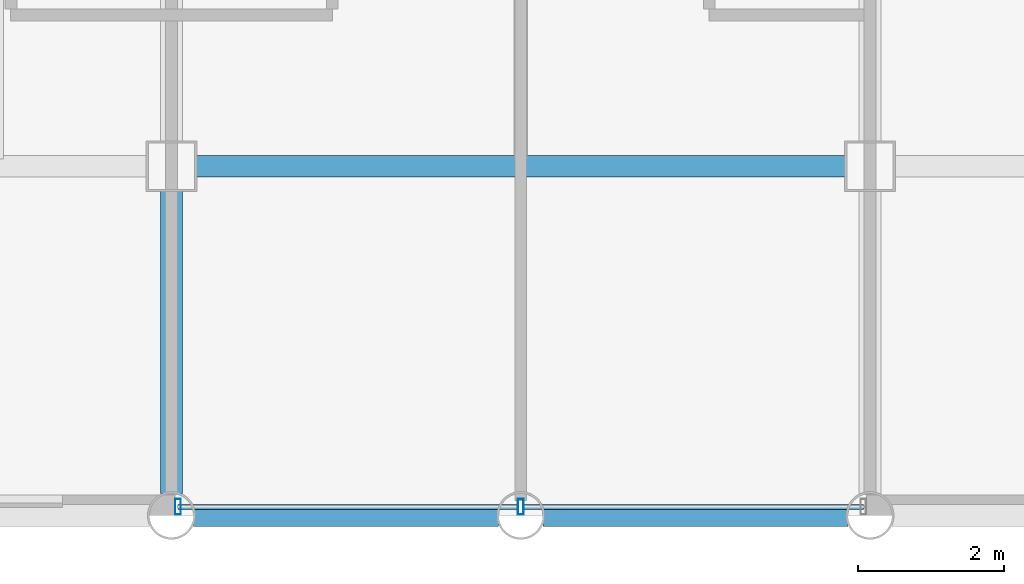
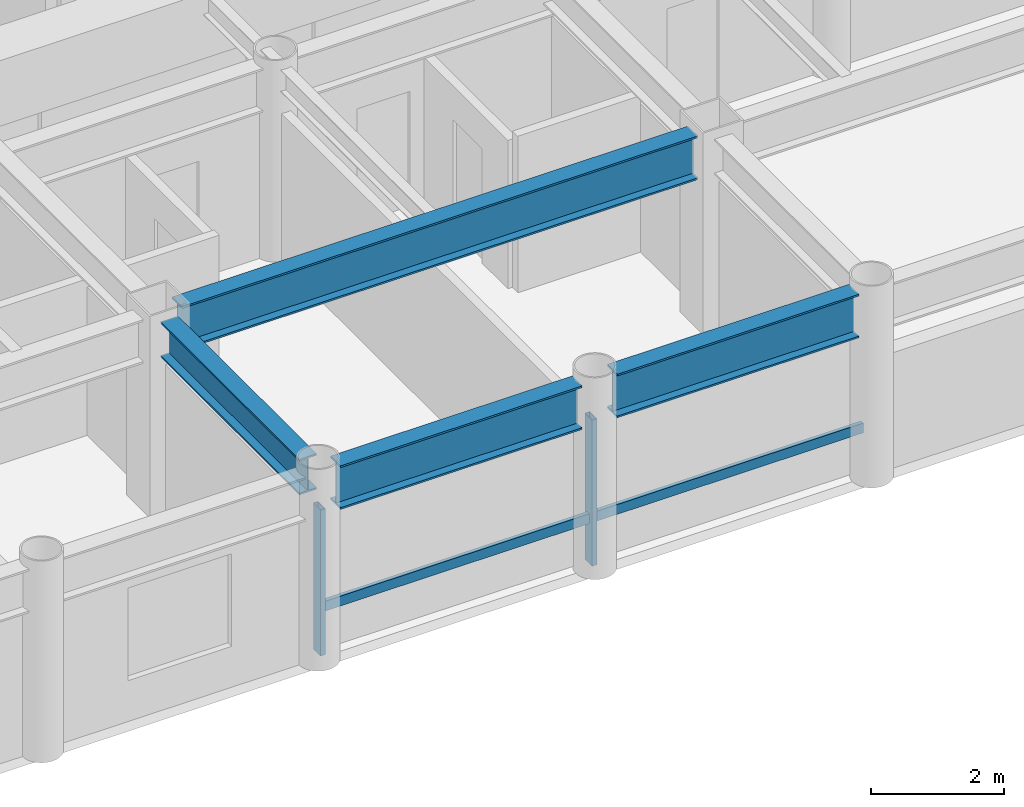
# One storey, part 2 of 22: 4 beams, 4 members, 1 element without a shape of its own.
"""IFC4 building model written with IfcOpenShell, lengths in metres."""

from ifc_helpers import new_model, si_unit, direction, frame, origin, origin_2d, place, context, subcontext, project, spatial, hollow_rectangle, i_section, extrude, material, layer, layer_set, material_profile, profile_set, type_object, element, aggregate, save


model = new_model("IFC4")

# Units and contexts
model_context = context("Model", 3, precision=1e-05, world=origin(), true_north=direction((0.0, 1.0)))
body_context = subcontext(model_context, "Body", "Model", "MODEL_VIEW")
ifc_project = project(units=[si_unit("LENGTHUNIT", "METRE"), si_unit("AREAUNIT", "SQUARE_METRE"), si_unit("VOLUMEUNIT", "CUBIC_METRE"), si_unit("PLANEANGLEUNIT", "RADIAN"), si_unit("MASSUNIT", "GRAM", prefix="KILO")], contexts=[model_context])

# Site, building, storey
site_placement = place(None, origin())
site = spatial("IfcSite", under=ifc_project, at=site_placement, CompositionType="ELEMENT")
building_placement = place(site_placement, origin())
building = spatial("IfcBuilding", under=site, at=building_placement, Name="Kallvorn Hotel Tower", CompositionType="ELEMENT")
storey_placement = place(building_placement, frame((0.0, 0.0, 106.300048828125)))
storey = spatial("IfcBuildingStorey", under=building, at=storey_placement, Name="L25", CompositionType="ELEMENT", Elevation=106.300048828125)

# Beams
ifc_material_1 = material(Name="Structural steel S355JR", Category="steel")
ifc_material_profile_1 = material_profile(ifc_material_1, i_section(OverallWidth=0.300048828125, OverallDepth=0.64990234375, WebThickness=0.01611328125, FlangeThickness=0.031005859375, at=origin_2d()), Name="HE 650 B")
ifc_profile_set_1 = profile_set([ifc_material_profile_1], Name="Structural steel S355JR")
beam_type_1 = type_object("IfcBeamType", Name="BM_HE650B", PredefinedType="BEAM", material=ifc_profile_set_1)
beam_1_placement = place(storey_placement, frame((-4.800048828125, -18.89501953125, 3.195068359375), z_axis=(0.0, 1.0, 0.0), x_axis=(-1.0, 0.0, 0.0)))
element("IfcBeam", 1, at=beam_1_placement, inside=storey, type_object=beam_type_1, Name="L26 Primary Y-Girder 105", PredefinedType="BEAM", context=body_context, shape_type="SweptSolid", body=[
    extrude(i_section(OverallWidth=0.300048828125, OverallDepth=0.64990234375, WebThickness=0.01611328125, FlangeThickness=0.031005859375, at=origin_2d()), origin(), (0.0, 0.0, 1.0), 4.169921875),
])
ifc_material_2 = material(Name="Structural steel S355JR", Category="steel")
ifc_material_profile_2 = material_profile(ifc_material_2, i_section(OverallWidth=0.300048828125, OverallDepth=0.800048828125, WebThickness=0.017578125, FlangeThickness=0.032958984375, at=origin_2d()), Name="HE 800 B")
ifc_profile_set_2 = profile_set([ifc_material_profile_2], Name="Structural steel S355JR")
beam_type_2 = type_object("IfcBeamType", Name="BM_HE800B", PredefinedType="BEAM", material=ifc_profile_set_2)
for number, where, z_axis, x_axis, name in (
    (2, (-4.4951171875, -19.199951171875, 3.119873046875), (1.0, 0.0, 0.0), (0.0, 1.0, 0.0), "L26 Primary X-Girder 06"),
    (3, (0.304931640625, -19.199951171875, 3.119873046875), (1.0, 0.0, 0.0), (0.0, 1.0, 0.0), "L26 Primary X-Girder 07"),
):
    element("IfcBeam", number, at=place(storey_placement, frame(where, z_axis=z_axis, x_axis=x_axis)), inside=storey, type_object=beam_type_2, Name=name, PredefinedType="BEAM", context=body_context, shape_type="SweptSolid", body=[
        extrude(i_section(OverallWidth=0.300048828125, OverallDepth=0.800048828125, WebThickness=0.017578125, FlangeThickness=0.032958984375, at=origin_2d()), origin(), (0.0, 0.0, 1.0), 4.190185546875),
    ])
beam_2_placement = place(storey_placement, frame((-4.47509765625, -14.39990234375, 3.119873046875), z_axis=(1.0, 0.0, 0.0), x_axis=(0.0, 1.0, 0.0)))
element("IfcBeam", 4, at=beam_2_placement, inside=storey, type_object=beam_type_2, Name="L26 Primary X-Girder 17", PredefinedType="BEAM", context=body_context, shape_type="SweptSolid", body=[
    extrude(i_section(OverallWidth=0.300048828125, OverallDepth=0.800048828125, WebThickness=0.017578125, FlangeThickness=0.032958984375, at=origin_2d()), origin(), (0.0, 0.0, 1.0), 8.9501953125),
])

# Curtain wall, members
ifc_material_3 = material(Name="Thermally broken black-anodised aluminium AA 6063-T6", Category="aluminium")
ifc_layer = layer(ifc_material_3, 0.199951171875)
ifc_layer_set = layer_set([ifc_layer], Name="CW_SYS_3_HOTEL_LOW")
curtain_wall_type = type_object("IfcCurtainWallType", Name="CW_SYS_3_HOTEL_LOW", PredefinedType="USERDEFINED", material=ifc_layer_set)
curtain_wall_placement = place(storey_placement, origin())
curtain_wall = element("IfcCurtainWall", 5, at=curtain_wall_placement, inside=storey, type_object=curtain_wall_type, Name="L25 Dark-Glass Curtain Wall CW-L25-SC", ObjectType="UNITISED CURTAIN WALL", PredefinedType="USERDEFINED")
ifc_material_4 = material(Name="Thermally broken black-anodised aluminium AA 6063-T6", Category="aluminium")
ifc_material_profile_3 = material_profile(ifc_material_4, hollow_rectangle(XDim=0.080078125, YDim=0.219970703125, WallThickness=0.0048828125, at=origin_2d()), Name="MUL 220x80")
ifc_profile_set_3 = profile_set([ifc_material_profile_3], Name="Thermally broken black-anodised aluminium AA 6063-T6")
member_type_1 = type_object("IfcMemberType", Name="CW_MULLION_220x80", PredefinedType="MULLION", material=ifc_profile_set_3)
member_1_placement = place(storey_placement, frame((-4.7099609375, -19.080078125, 0.02001953125), z_axis=(0.0, 0.0, 1.0), x_axis=(1.0, 0.0, 0.0)))
member_1 = element("IfcMember", 6, at=member_1_placement, type_object=member_type_1, Name="CW-L25-SC Mullion 00", PredefinedType="MULLION", context=body_context, shape_type="SweptSolid", body=[
    extrude(hollow_rectangle(XDim=0.080078125, YDim=0.219970703125, WallThickness=0.0048828125, at=origin_2d()), origin(), (0.0, 0.0, 1.0), 2.679931640625),
])
member_2_placement = place(storey_placement, frame((0.0, -19.080078125, 0.02001953125), z_axis=(0.0, 0.0, 1.0), x_axis=(1.0, 0.0, 0.0)))
member_2 = element("IfcMember", 7, at=member_2_placement, type_object=member_type_1, Name="CW-L25-SC Mullion 01", PredefinedType="MULLION", context=body_context, shape_type="SweptSolid", body=[
    extrude(hollow_rectangle(XDim=0.080078125, YDim=0.219970703125, WallThickness=0.0048828125, at=origin_2d()), origin(), (0.0, 0.0, 1.0), 2.679931640625),
])
ifc_material_5 = material(Name="Thermally broken black-anodised aluminium AA 6063-T6", Category="aluminium")
ifc_material_profile_4 = material_profile(ifc_material_5, hollow_rectangle(XDim=0.070068359375, YDim=0.179931640625, WallThickness=0.00390625, at=origin_2d()), Name="TRN 180x70")
ifc_profile_set_4 = profile_set([ifc_material_profile_4], Name="Thermally broken black-anodised aluminium AA 6063-T6")
member_type_2 = type_object("IfcMemberType", Name="CW_TRANSOM_180x70", PredefinedType="USERDEFINED", material=ifc_profile_set_4)
member_3_placement = place(storey_placement, frame((-4.7099609375, -19.080078125, 0.849853515625), z_axis=(1.0, 0.0, 0.0), x_axis=(0.0, 1.0, 0.0)))
member_3 = element("IfcMember", 8, at=member_3_placement, type_object=member_type_2, Name="CW-L25-SC Transom 00M", ObjectType="TRANSOM", PredefinedType="USERDEFINED", context=body_context, shape_type="SweptSolid", body=[
    extrude(hollow_rectangle(XDim=0.070068359375, YDim=0.179931640625, WallThickness=0.00390625, at=origin_2d()), origin(), (0.0, 0.0, 1.0), 4.669921875),
])
member_4_placement = place(storey_placement, frame((0.0400390625, -19.080078125, 0.849853515625), z_axis=(1.0, 0.0, 0.0), x_axis=(0.0, 1.0, 0.0)))
member_4 = element("IfcMember", 9, at=member_4_placement, type_object=member_type_2, Name="CW-L25-SC Transom 01M", ObjectType="TRANSOM", PredefinedType="USERDEFINED", context=body_context, shape_type="SweptSolid", body=[
    extrude(hollow_rectangle(XDim=0.070068359375, YDim=0.179931640625, WallThickness=0.00390625, at=origin_2d()), origin(), (0.0, 0.0, 1.0), 4.669921875),
])
aggregate(curtain_wall, [member_1, member_2, member_3, member_4])

save(model, "model.ifc")
